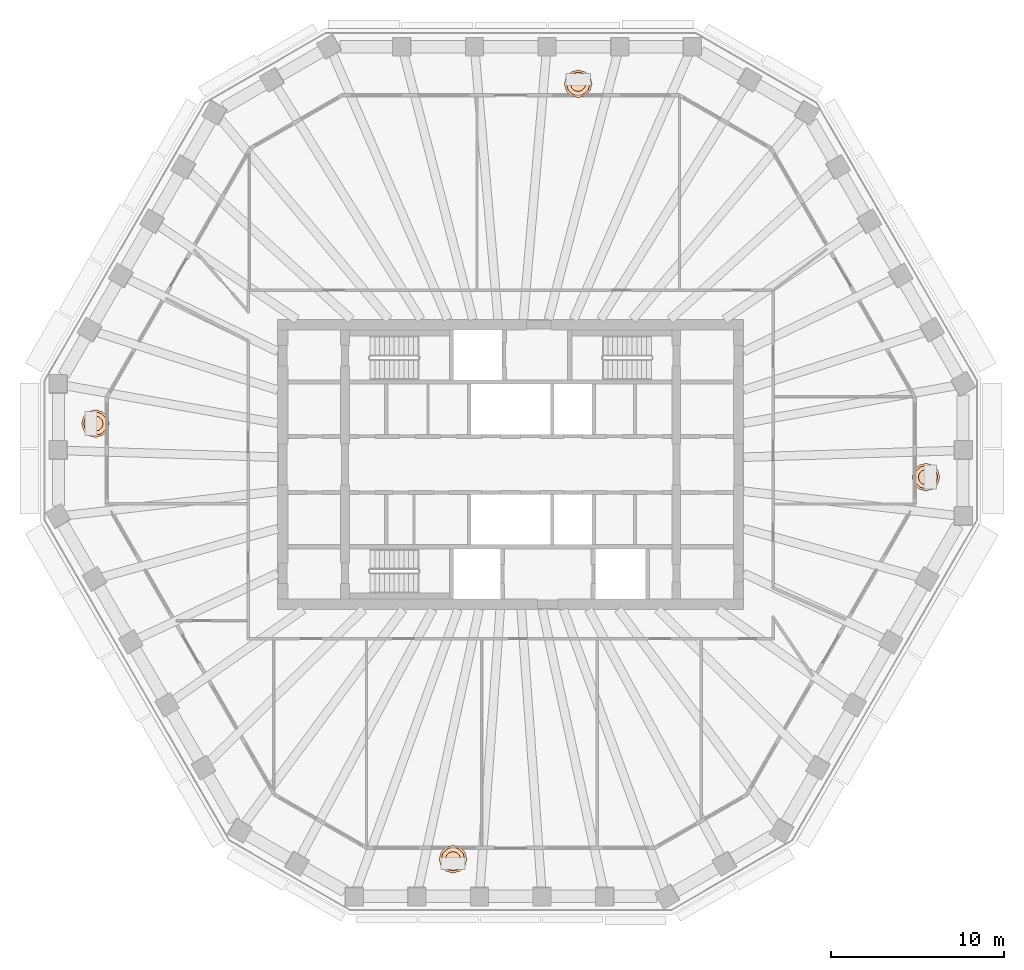
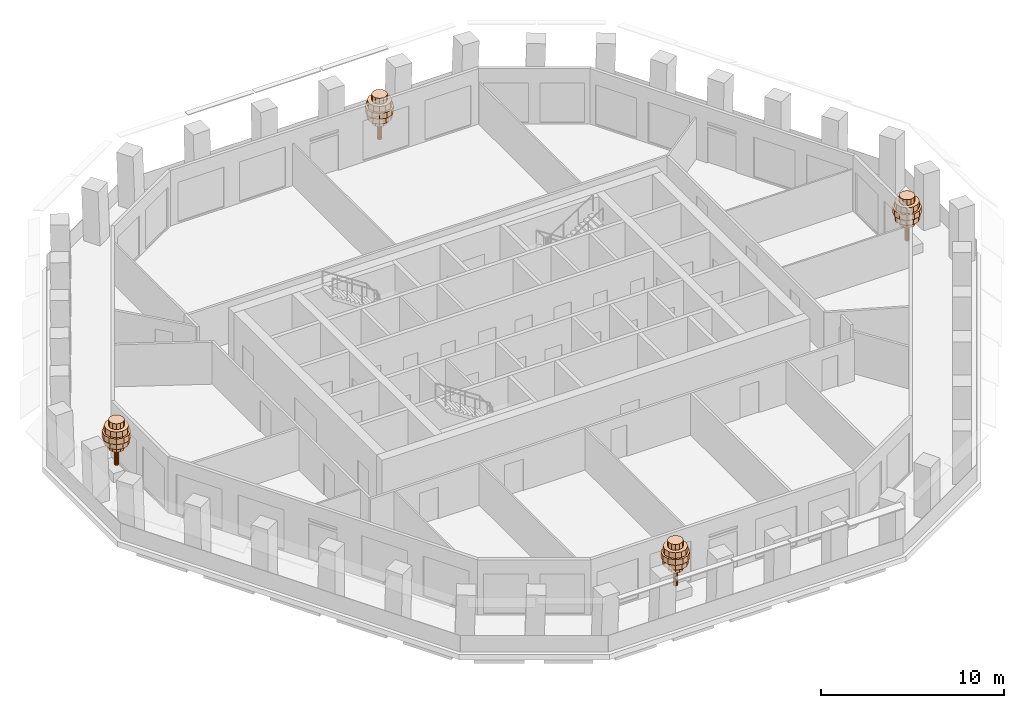
# One storey, part 12 of 12: 4 geographic elements.
"""IFC4 building model written with IfcOpenShell, lengths in metres."""

from ifc_helpers import new_model, si_unit, direction, frame, origin, place, context, subcontext, project, spatial, polyline, outline, extrude, material, type_object, element, save


model = new_model("IFC4")

# Units and contexts
model_context = context("Model", 3, precision=1e-05, world=origin(), true_north=direction((0.0, 1.0)))
body_context = subcontext(model_context, "Body", "Model", "MODEL_VIEW")
ifc_project = project(units=[si_unit("LENGTHUNIT", "METRE"), si_unit("AREAUNIT", "SQUARE_METRE"), si_unit("VOLUMEUNIT", "CUBIC_METRE"), si_unit("PLANEANGLEUNIT", "RADIAN"), si_unit("MASSUNIT", "GRAM", prefix="KILO")], contexts=[model_context])

# Site, building, storey
site_placement = place(None, origin())
site = spatial("IfcSite", under=ifc_project, at=site_placement, CompositionType="ELEMENT")
building_placement = place(site_placement, origin())
building = spatial("IfcBuilding", under=site, at=building_placement, Name="Frailejon Research Tower", CompositionType="ELEMENT")
storey_placement = place(building_placement, frame((0.0, 0.0, 237.39990234375)))
storey = spatial("IfcBuildingStorey", under=building, at=storey_placement, Name="L51", CompositionType="ELEMENT", Elevation=237.39990234375)

# Geographic elements
ifc_material = material(Name="Foliage, green")
geographic_element_type = type_object("IfcGeographicElementType", Name="Frailejon tree, loggia", PredefinedType="USERDEFINED", material=ifc_material)
geographic_element_1_placement = place(storey_placement, frame((24.05615234375, -0.734619140625, 0.60009765625)))
element("IfcGeographicElement", 1, at=geographic_element_1_placement, inside=storey, type_object=geographic_element_type, Name="Tree L51", ObjectType="TREE", PredefinedType="USERDEFINED", context=body_context, shape_type="SweptSolid", body=[
    extrude(outline(polyline([(0.1298828125, 0.0), (0.112548828125, 0.06494140625), (0.06494140625, 0.112548828125), (0.0, 0.1298828125), (-0.06494140625, 0.112548828125), (-0.112548828125, 0.06494140625), (-0.1298828125, 0.0), (-0.112548828125, -0.06494140625), (-0.06494140625, -0.112548828125), (0.0, -0.1298828125), (0.06494140625, -0.112548828125), (0.112548828125, -0.06494140625), (0.1298828125, 0.0)])), origin(), (0.0, 0.0, 1.0), 2.239990234375),
    extrude(outline(polyline([(0.43994140625, 0.0), (0.381103515625, 0.219970703125), (0.219970703125, 0.381103515625), (0.0, 0.43994140625), (-0.219970703125, 0.381103515625), (-0.381103515625, 0.219970703125), (-0.43994140625, 0.0), (-0.381103515625, -0.219970703125), (-0.219970703125, -0.381103515625), (0.0, -0.43994140625), (0.219970703125, -0.381103515625), (0.381103515625, -0.219970703125), (0.43994140625, 0.0)])), frame((0.0, 0.0, 1.10009765625)), (0.0, 0.0, 1.0), 0.3798828125),
    extrude(outline(polyline([(0.719970703125, 0.0), (0.62353515625, 0.360107421875), (0.360107421875, 0.62353515625), (0.0, 0.719970703125), (-0.360107421875, 0.62353515625), (-0.62353515625, 0.360107421875), (-0.719970703125, 0.0), (-0.62353515625, -0.360107421875), (-0.360107421875, -0.62353515625), (0.0, -0.719970703125), (0.360107421875, -0.62353515625), (0.62353515625, -0.360107421875), (0.719970703125, 0.0)])), frame((0.0, 0.0, 1.47998046875)), (0.0, 0.0, 1.0), 0.3798828125),
    extrude(outline(polyline([(0.800048828125, 0.0), (0.69287109375, 0.39990234375), (0.39990234375, 0.69287109375), (0.0, 0.800048828125), (-0.39990234375, 0.69287109375), (-0.69287109375, 0.39990234375), (-0.800048828125, 0.0), (-0.69287109375, -0.39990234375), (-0.39990234375, -0.69287109375), (0.0, -0.800048828125), (0.39990234375, -0.69287109375), (0.69287109375, -0.39990234375), (0.800048828125, 0.0)])), frame((0.0, 0.0, 1.860107421875)), (0.0, 0.0, 1.0), 0.3798828125),
    extrude(outline(polyline([(0.679931640625, 0.0), (0.5888671875, 0.340087890625), (0.340087890625, 0.5888671875), (0.0, 0.679931640625), (-0.340087890625, 0.5888671875), (-0.5888671875, 0.340087890625), (-0.679931640625, 0.0), (-0.5888671875, -0.340087890625), (-0.340087890625, -0.5888671875), (0.0, -0.679931640625), (0.340087890625, -0.5888671875), (0.5888671875, -0.340087890625), (0.679931640625, 0.0)])), frame((0.0, 0.0, 2.239990234375)), (0.0, 0.0, 1.0), 0.3798828125),
    extrude(outline(polyline([(0.43994140625, 0.0), (0.381103515625, 0.219970703125), (0.219970703125, 0.381103515625), (0.0, 0.43994140625), (-0.219970703125, 0.381103515625), (-0.381103515625, 0.219970703125), (-0.43994140625, 0.0), (-0.381103515625, -0.219970703125), (-0.219970703125, -0.381103515625), (0.0, -0.43994140625), (0.219970703125, -0.381103515625), (0.381103515625, -0.219970703125), (0.43994140625, 0.0)])), frame((0.0, 0.0, 2.6201171875)), (0.0, 0.0, 1.0), 0.3798828125),
])
geographic_element_2_placement = place(storey_placement, frame((3.9091796875, 22.050048828125, 0.60009765625)))
element("IfcGeographicElement", 2, at=geographic_element_2_placement, inside=storey, type_object=geographic_element_type, Name="Tree L51", ObjectType="TREE", PredefinedType="USERDEFINED", context=body_context, shape_type="SweptSolid", body=[
    extrude(outline(polyline([(0.1298828125, 0.0), (0.112548828125, 0.06494140625), (0.06494140625, 0.112548828125), (0.0, 0.1298828125), (-0.06494140625, 0.112548828125), (-0.112548828125, 0.06494140625), (-0.1298828125, 0.0), (-0.112548828125, -0.06494140625), (-0.06494140625, -0.112548828125), (0.0, -0.1298828125), (0.06494140625, -0.112548828125), (0.112548828125, -0.06494140625), (0.1298828125, 0.0)])), origin(), (0.0, 0.0, 1.0), 2.239990234375),
    extrude(outline(polyline([(0.43994140625, 0.0), (0.381103515625, 0.219970703125), (0.219970703125, 0.381103515625), (0.0, 0.43994140625), (-0.219970703125, 0.381103515625), (-0.381103515625, 0.219970703125), (-0.43994140625, 0.0), (-0.381103515625, -0.219970703125), (-0.219970703125, -0.381103515625), (0.0, -0.43994140625), (0.219970703125, -0.381103515625), (0.381103515625, -0.219970703125), (0.43994140625, 0.0)])), frame((0.0, 0.0, 1.10009765625)), (0.0, 0.0, 1.0), 0.3798828125),
    extrude(outline(polyline([(0.719970703125, 0.0), (0.62353515625, 0.360107421875), (0.360107421875, 0.62353515625), (0.0, 0.719970703125), (-0.360107421875, 0.62353515625), (-0.62353515625, 0.360107421875), (-0.719970703125, 0.0), (-0.62353515625, -0.360107421875), (-0.360107421875, -0.62353515625), (0.0, -0.719970703125), (0.360107421875, -0.62353515625), (0.62353515625, -0.360107421875), (0.719970703125, 0.0)])), frame((0.0, 0.0, 1.47998046875)), (0.0, 0.0, 1.0), 0.3798828125),
    extrude(outline(polyline([(0.800048828125, 0.0), (0.69287109375, 0.39990234375), (0.39990234375, 0.69287109375), (0.0, 0.800048828125), (-0.39990234375, 0.69287109375), (-0.69287109375, 0.39990234375), (-0.800048828125, 0.0), (-0.69287109375, -0.39990234375), (-0.39990234375, -0.69287109375), (0.0, -0.800048828125), (0.39990234375, -0.69287109375), (0.69287109375, -0.39990234375), (0.800048828125, 0.0)])), frame((0.0, 0.0, 1.860107421875)), (0.0, 0.0, 1.0), 0.3798828125),
    extrude(outline(polyline([(0.679931640625, 0.0), (0.5888671875, 0.340087890625), (0.340087890625, 0.5888671875), (0.0, 0.679931640625), (-0.340087890625, 0.5888671875), (-0.5888671875, 0.340087890625), (-0.679931640625, 0.0), (-0.5888671875, -0.340087890625), (-0.340087890625, -0.5888671875), (0.0, -0.679931640625), (0.340087890625, -0.5888671875), (0.5888671875, -0.340087890625), (0.679931640625, 0.0)])), frame((0.0, 0.0, 2.239990234375)), (0.0, 0.0, 1.0), 0.3798828125),
    extrude(outline(polyline([(0.43994140625, 0.0), (0.381103515625, 0.219970703125), (0.219970703125, 0.381103515625), (0.0, 0.43994140625), (-0.219970703125, 0.381103515625), (-0.381103515625, 0.219970703125), (-0.43994140625, 0.0), (-0.381103515625, -0.219970703125), (-0.219970703125, -0.381103515625), (0.0, -0.43994140625), (0.219970703125, -0.381103515625), (0.381103515625, -0.219970703125), (0.43994140625, 0.0)])), frame((0.0, 0.0, 2.6201171875)), (0.0, 0.0, 1.0), 0.3798828125),
])
geographic_element_3_placement = place(storey_placement, frame((-24.05615234375, 2.36865234375, 0.60009765625)))
element("IfcGeographicElement", 3, at=geographic_element_3_placement, inside=storey, type_object=geographic_element_type, Name="Tree L51", ObjectType="TREE", PredefinedType="USERDEFINED", context=body_context, shape_type="SweptSolid", body=[
    extrude(outline(polyline([(0.1298828125, 0.0), (0.112548828125, 0.06494140625), (0.06494140625, 0.112548828125), (0.0, 0.1298828125), (-0.06494140625, 0.112548828125), (-0.112548828125, 0.06494140625), (-0.1298828125, 0.0), (-0.112548828125, -0.06494140625), (-0.06494140625, -0.112548828125), (0.0, -0.1298828125), (0.06494140625, -0.112548828125), (0.112548828125, -0.06494140625), (0.1298828125, 0.0)])), origin(), (0.0, 0.0, 1.0), 2.239990234375),
    extrude(outline(polyline([(0.43994140625, 0.0), (0.381103515625, 0.219970703125), (0.219970703125, 0.381103515625), (0.0, 0.43994140625), (-0.219970703125, 0.381103515625), (-0.381103515625, 0.219970703125), (-0.43994140625, 0.0), (-0.381103515625, -0.219970703125), (-0.219970703125, -0.381103515625), (0.0, -0.43994140625), (0.219970703125, -0.381103515625), (0.381103515625, -0.219970703125), (0.43994140625, 0.0)])), frame((0.0, 0.0, 1.10009765625)), (0.0, 0.0, 1.0), 0.3798828125),
    extrude(outline(polyline([(0.719970703125, 0.0), (0.62353515625, 0.360107421875), (0.360107421875, 0.62353515625), (0.0, 0.719970703125), (-0.360107421875, 0.62353515625), (-0.62353515625, 0.360107421875), (-0.719970703125, 0.0), (-0.62353515625, -0.360107421875), (-0.360107421875, -0.62353515625), (0.0, -0.719970703125), (0.360107421875, -0.62353515625), (0.62353515625, -0.360107421875), (0.719970703125, 0.0)])), frame((0.0, 0.0, 1.47998046875)), (0.0, 0.0, 1.0), 0.3798828125),
    extrude(outline(polyline([(0.800048828125, 0.0), (0.69287109375, 0.39990234375), (0.39990234375, 0.69287109375), (0.0, 0.800048828125), (-0.39990234375, 0.69287109375), (-0.69287109375, 0.39990234375), (-0.800048828125, 0.0), (-0.69287109375, -0.39990234375), (-0.39990234375, -0.69287109375), (0.0, -0.800048828125), (0.39990234375, -0.69287109375), (0.69287109375, -0.39990234375), (0.800048828125, 0.0)])), frame((0.0, 0.0, 1.860107421875)), (0.0, 0.0, 1.0), 0.3798828125),
    extrude(outline(polyline([(0.679931640625, 0.0), (0.5888671875, 0.340087890625), (0.340087890625, 0.5888671875), (0.0, 0.679931640625), (-0.340087890625, 0.5888671875), (-0.5888671875, 0.340087890625), (-0.679931640625, 0.0), (-0.5888671875, -0.340087890625), (-0.340087890625, -0.5888671875), (0.0, -0.679931640625), (0.340087890625, -0.5888671875), (0.5888671875, -0.340087890625), (0.679931640625, 0.0)])), frame((0.0, 0.0, 2.239990234375)), (0.0, 0.0, 1.0), 0.3798828125),
    extrude(outline(polyline([(0.43994140625, 0.0), (0.381103515625, 0.219970703125), (0.219970703125, 0.381103515625), (0.0, 0.43994140625), (-0.219970703125, 0.381103515625), (-0.381103515625, 0.219970703125), (-0.43994140625, 0.0), (-0.381103515625, -0.219970703125), (-0.219970703125, -0.381103515625), (0.0, -0.43994140625), (0.219970703125, -0.381103515625), (0.381103515625, -0.219970703125), (0.43994140625, 0.0)])), frame((0.0, 0.0, 2.6201171875)), (0.0, 0.0, 1.0), 0.3798828125),
])
geographic_element_4_placement = place(storey_placement, frame((-3.34326171875, -22.8671875, 0.60009765625)))
element("IfcGeographicElement", 4, at=geographic_element_4_placement, inside=storey, type_object=geographic_element_type, Name="Tree L51", ObjectType="TREE", PredefinedType="USERDEFINED", context=body_context, shape_type="SweptSolid", body=[
    extrude(outline(polyline([(0.1298828125, 0.0), (0.112548828125, 0.06494140625), (0.06494140625, 0.112548828125), (0.0, 0.1298828125), (-0.06494140625, 0.112548828125), (-0.112548828125, 0.06494140625), (-0.1298828125, 0.0), (-0.112548828125, -0.06494140625), (-0.06494140625, -0.112548828125), (0.0, -0.1298828125), (0.06494140625, -0.112548828125), (0.112548828125, -0.06494140625), (0.1298828125, 0.0)])), origin(), (0.0, 0.0, 1.0), 2.239990234375),
    extrude(outline(polyline([(0.43994140625, 0.0), (0.381103515625, 0.219970703125), (0.219970703125, 0.381103515625), (0.0, 0.43994140625), (-0.219970703125, 0.381103515625), (-0.381103515625, 0.219970703125), (-0.43994140625, 0.0), (-0.381103515625, -0.219970703125), (-0.219970703125, -0.381103515625), (0.0, -0.43994140625), (0.219970703125, -0.381103515625), (0.381103515625, -0.219970703125), (0.43994140625, 0.0)])), frame((0.0, 0.0, 1.10009765625)), (0.0, 0.0, 1.0), 0.3798828125),
    extrude(outline(polyline([(0.719970703125, 0.0), (0.62353515625, 0.360107421875), (0.360107421875, 0.62353515625), (0.0, 0.719970703125), (-0.360107421875, 0.62353515625), (-0.62353515625, 0.360107421875), (-0.719970703125, 0.0), (-0.62353515625, -0.360107421875), (-0.360107421875, -0.62353515625), (0.0, -0.719970703125), (0.360107421875, -0.62353515625), (0.62353515625, -0.360107421875), (0.719970703125, 0.0)])), frame((0.0, 0.0, 1.47998046875)), (0.0, 0.0, 1.0), 0.3798828125),
    extrude(outline(polyline([(0.800048828125, 0.0), (0.69287109375, 0.39990234375), (0.39990234375, 0.69287109375), (0.0, 0.800048828125), (-0.39990234375, 0.69287109375), (-0.69287109375, 0.39990234375), (-0.800048828125, 0.0), (-0.69287109375, -0.39990234375), (-0.39990234375, -0.69287109375), (0.0, -0.800048828125), (0.39990234375, -0.69287109375), (0.69287109375, -0.39990234375), (0.800048828125, 0.0)])), frame((0.0, 0.0, 1.860107421875)), (0.0, 0.0, 1.0), 0.3798828125),
    extrude(outline(polyline([(0.679931640625, 0.0), (0.5888671875, 0.340087890625), (0.340087890625, 0.5888671875), (0.0, 0.679931640625), (-0.340087890625, 0.5888671875), (-0.5888671875, 0.340087890625), (-0.679931640625, 0.0), (-0.5888671875, -0.340087890625), (-0.340087890625, -0.5888671875), (0.0, -0.679931640625), (0.340087890625, -0.5888671875), (0.5888671875, -0.340087890625), (0.679931640625, 0.0)])), frame((0.0, 0.0, 2.239990234375)), (0.0, 0.0, 1.0), 0.3798828125),
    extrude(outline(polyline([(0.43994140625, 0.0), (0.381103515625, 0.219970703125), (0.219970703125, 0.381103515625), (0.0, 0.43994140625), (-0.219970703125, 0.381103515625), (-0.381103515625, 0.219970703125), (-0.43994140625, 0.0), (-0.381103515625, -0.219970703125), (-0.219970703125, -0.381103515625), (0.0, -0.43994140625), (0.219970703125, -0.381103515625), (0.381103515625, -0.219970703125), (0.43994140625, 0.0)])), frame((0.0, 0.0, 2.6201171875)), (0.0, 0.0, 1.0), 0.3798828125),
])

save(model, "model.ifc")
